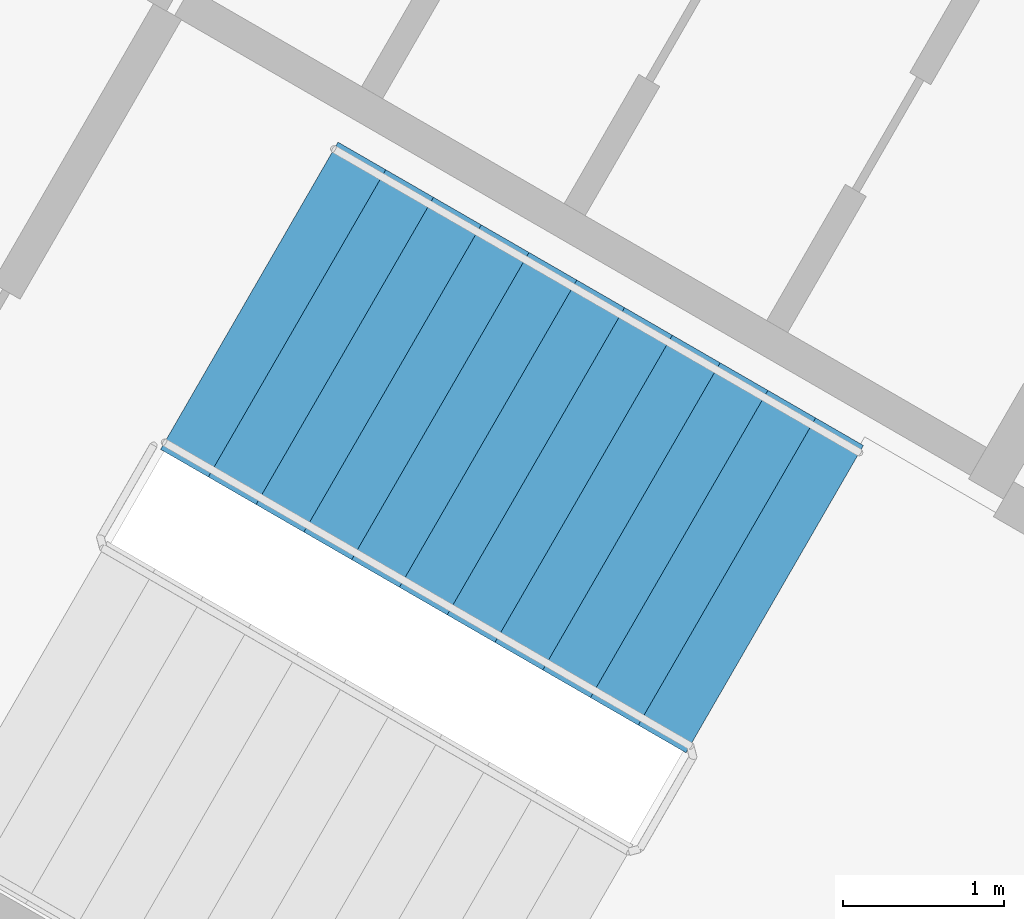
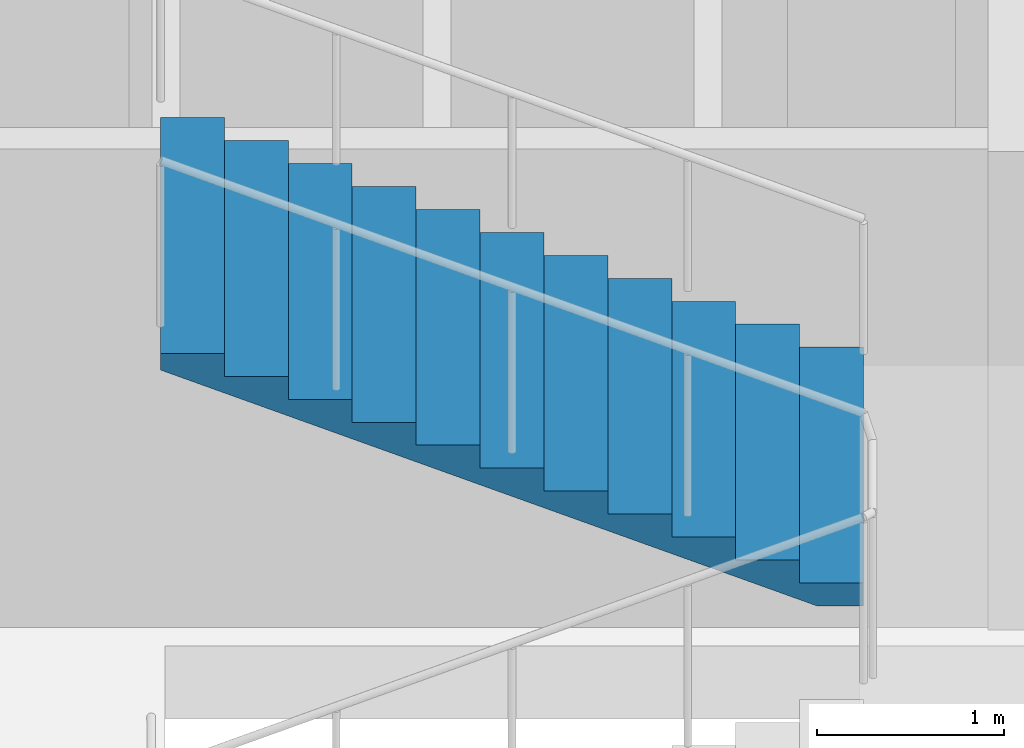
# One storey, part 12 of 15: 1 stair flight, 1 element without a shape of its own.
"""IFC4 building model written with IfcOpenShell, lengths in metres."""

from ifc_helpers import new_model, si_unit, direction, frame, origin, place, context, subcontext, project, spatial, polyline, outline, extrude, material, type_object, element, aggregate, save


model = new_model("IFC4")

# Units and contexts
model_context = context("Model", 3, precision=1e-05, world=origin(), true_north=direction((0.0, 1.0)))
body_context = subcontext(model_context, "Body", "Model", "MODEL_VIEW")
ifc_project = project(units=[si_unit("LENGTHUNIT", "METRE"), si_unit("AREAUNIT", "SQUARE_METRE"), si_unit("VOLUMEUNIT", "CUBIC_METRE"), si_unit("PLANEANGLEUNIT", "RADIAN"), si_unit("MASSUNIT", "GRAM", prefix="KILO")], contexts=[model_context])

# Site, building, storey
site_placement = place(None, origin())
site = spatial("IfcSite", under=ifc_project, at=site_placement, CompositionType="ELEMENT")
building_placement = place(site_placement, origin())
building = spatial("IfcBuilding", under=site, at=building_placement, Name="Tamra Quay Hotel Tower", CompositionType="ELEMENT")
storey_placement = place(building_placement, frame((0.0, 0.0, 35.0)))
storey = spatial("IfcBuildingStorey", under=building, at=storey_placement, Name="L06", CompositionType="ELEMENT", Elevation=35.0)

# Stair, stair flight
ifc_material_1 = material(Name="Exit stair 2200 24 risers 150.0 going 342")
stair_type = type_object("IfcStairType", Name="Exit stair 2200 24 risers 150.0 going 342", PredefinedType="HALF_TURN_STAIR", material=ifc_material_1)
stair_placement = place(storey_placement, origin())
stair = element("IfcStair", 1, at=stair_placement, inside=storey, type_object=stair_type, Name="L06 Exit stair ST1", PredefinedType="HALF_TURN_STAIR")
ifc_material_2 = material(Name="Exit stair flight 2200 12 risers 150.0")
stair_flight_type = type_object("IfcStairFlightType", Name="Exit stair flight 2200 12 risers 150.0", PredefinedType="STRAIGHT", material=ifc_material_2)
stair_flight_placement = place(storey_placement, frame((9.44677734375, 11.798583984375, 1.800048828125), z_axis=(0.0, 0.0, 1.0), x_axis=(-0.866025403784, 0.5, 0.0)))
stair_flight = element("IfcStairFlight", 2, at=stair_flight_placement, type_object=stair_flight_type, Name="ST1 flight 2", NumberOfRisers=12, NumberOfTreads=11, PredefinedType="STRAIGHT", RiserHeight=0.15, TreadLength=0.342, context=body_context, shape_type="SweptSolid", body=[
    extrude(outline(polyline([(0.0, 0.0), (0.0, 0.14990234375), (0.342041015625, 0.14990234375), (0.342041015625, 0.300048828125), (0.68408203125, 0.300048828125), (0.68408203125, 0.449951171875), (1.02587890625, 0.449951171875), (1.02587890625, 0.60009765625), (1.367919921875, 0.60009765625), (1.367919921875, 0.75), (1.7099609375, 0.75), (1.7099609375, 0.89990234375), (2.052001953125, 0.89990234375), (2.052001953125, 1.050048828125), (2.39404296875, 1.050048828125), (2.39404296875, 1.199951171875), (2.736083984375, 1.199951171875), (2.736083984375, 1.35009765625), (3.077880859375, 1.35009765625), (3.077880859375, 1.5), (3.419921875, 1.5), (3.419921875, 1.64990234375), (3.761962890625, 1.64990234375), (3.761962890625, 1.800048828125), (3.761962890625, 1.540771484375), (0.249267578125, 0.0), (0.0, 0.0)])), frame((0.0, 1.10009765625, 0.0), z_axis=(0.0, -1.0, 0.0), x_axis=(1.0, 0.0, 0.0)), (0.0, 0.0, 1.0), 2.199951171875),
])
aggregate(stair, [stair_flight])

save(model, "model.ifc")
